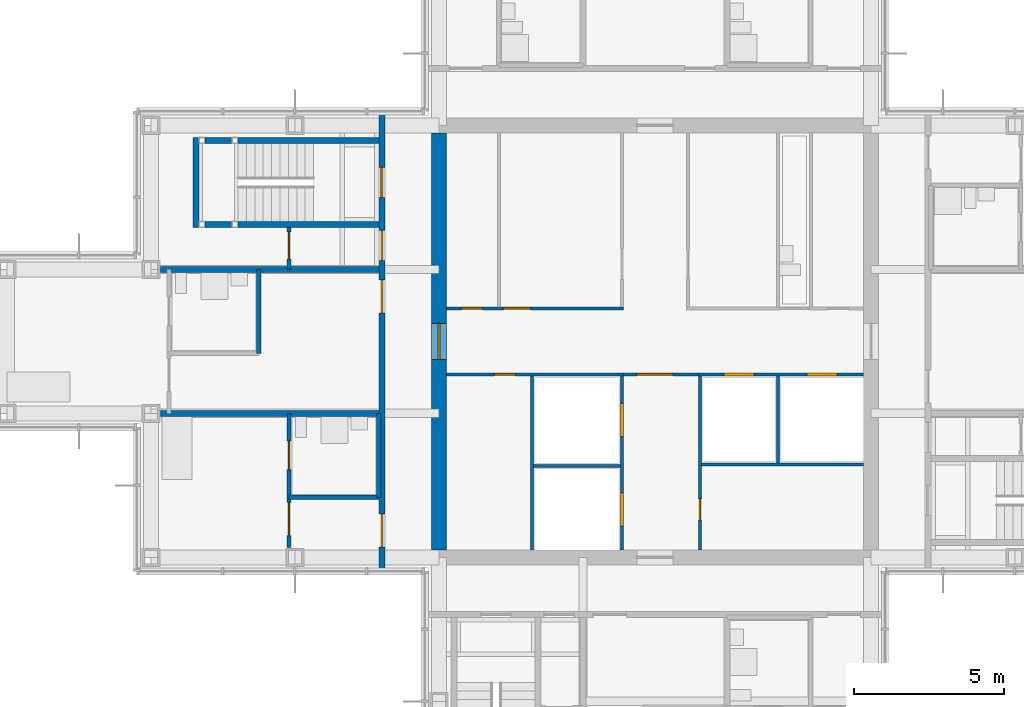
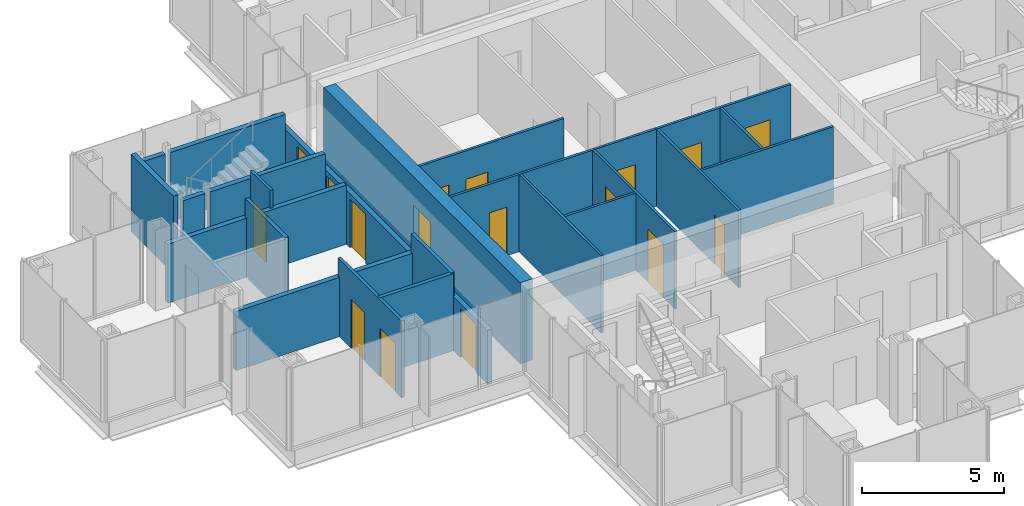
# One storey, part 12 of 17: 24 walls, 17 doors, 17 openings.
"""IFC4 building model written with IfcOpenShell, lengths in metres."""

import ifcopenshell
import ifcopenshell.guid

model = None  # the IFC model being written
_history = None  # IfcOwnerHistory: only IFC2X3 demands one
_inside = {}  # id of a spatial element -> (the spatial element, [elements in it])
_under = {}  # id of a project, library or spatial element -> (it, [spatial elements below it])
_declared = {}  # id of a project -> (the project, [libraries it declares])
_typed = {}  # id of a type object -> (the type object, [elements of that type])
_made_of = {}  # id of a material, layer set ... -> (it, [elements and type objects made of it])


def new_model(schema):
    """Start an empty IFC model of exactly this schema.

    Asked for "IFC4X3", IfcOpenShell would pick the latest addendum, in which some entities
    have other attributes; the version numbers below select the first issue.
    IFC2X3 requires an IfcOwnerHistory on every rooted entity: one is made here for all.
    """
    global model, _history
    if schema == "IFC4X3":
        model = ifcopenshell.file(schema_version=(4, 3, 0, 0))
    else:
        model = ifcopenshell.file(schema=schema)
    _inside.clear()
    _under.clear()
    _declared.clear()
    _typed.clear()
    _made_of.clear()
    _history = None
    if model.schema == "IFC2X3":
        org = make("IfcOrganization", Name="unknown")
        user = make(
            "IfcPersonAndOrganization",
            ThePerson=make("IfcPerson", FamilyName="unknown"),
            TheOrganization=org,
        )
        app = make(
            "IfcApplication",
            ApplicationDeveloper=org,
            Version="unknown",
            ApplicationFullName="unknown",
            ApplicationIdentifier="unknown",
        )
        _history = make(
            "IfcOwnerHistory",
            OwningUser=user,
            OwningApplication=app,
            ChangeAction="ADDED",
            CreationDate=0,
        )
    return model


def make(cls, **values):
    """One entity of the class cls with the attributes given. An attribute that is None is left unset."""
    return model.create_entity(
        cls, **{name: value for name, value in values.items() if value is not None}
    )


def rooted(cls, **values):
    """An entity with a GlobalId (a new one), such as an element, a storey or a relation."""
    return make(cls, GlobalId=ifcopenshell.guid.new(), OwnerHistory=_history, **values)


def si_unit(unit_type, name, prefix=None):
    """IfcSIUnit, for example si_unit("LENGTHUNIT", "METRE", prefix="MILLI")."""
    return make("IfcSIUnit", UnitType=unit_type, Prefix=prefix, Name=name)


def assignment(units):
    """IfcUnitAssignment: the units of a project."""
    return None if units is None else make("IfcUnitAssignment", Units=units)


def point(xyz):
    """IfcCartesianPoint."""
    return None if xyz is None else make("IfcCartesianPoint", Coordinates=xyz)


def direction(xyz):
    """IfcDirection."""
    return None if xyz is None else make("IfcDirection", DirectionRatios=xyz)


def frame(location, z_axis=None, x_axis=None):
    """IfcAxis2Placement3D, a coordinate frame: its origin and axes. An axis left out is left unset."""
    return make(
        "IfcAxis2Placement3D",
        Location=point(location),
        Axis=direction(z_axis),
        RefDirection=direction(x_axis),
    )


def frame_2d(location, x_axis=None):
    """IfcAxis2Placement2D, a coordinate frame in the plane: its origin and x axis."""
    return make(
        "IfcAxis2Placement2D", Location=point(location), RefDirection=direction(x_axis)
    )


def origin():
    """The frame at (0, 0, 0) with its axes left unset."""
    return frame((0.0, 0.0, 0.0))


def place(relative_to, where):
    """IfcLocalPlacement: puts the frame where relative to a parent placement (None: the world)."""
    return make(
        "IfcLocalPlacement", PlacementRelTo=relative_to, RelativePlacement=where
    )


def context(
    kind, dimensions, precision=None, world=None, true_north=None, identifier=None
):
    """IfcGeometricRepresentationContext, for example the 3D "Model" context."""
    return make(
        "IfcGeometricRepresentationContext",
        ContextIdentifier=identifier,
        ContextType=kind,
        CoordinateSpaceDimension=dimensions,
        Precision=precision,
        WorldCoordinateSystem=world,
        TrueNorth=true_north,
    )


def subcontext(parent, identifier, kind, view, scale=None):
    """IfcGeometricRepresentationSubContext, for example "Body" below "Model"."""
    return make(
        "IfcGeometricRepresentationSubContext",
        ContextIdentifier=identifier,
        ContextType=kind,
        ParentContext=parent,
        TargetScale=scale,
        TargetView=view,
    )


def project(units=None, contexts=None):
    """IfcProject with its units and contexts."""
    return rooted(
        "IfcProject",
        Name="project",
        RepresentationContexts=contexts,
        UnitsInContext=assignment(units),
    )


def spatial(cls, under=None, at=None, **own):
    """A site, building, storey or space (cls), placed at a placement, below another one or the project."""
    s = rooted(cls, ObjectPlacement=at, **own)
    if under is not None:
        _under.setdefault(under.id(), (under, []))[1].append(s)
    return s


def profile(cls, at=None, kind="AREA", **sizes):
    """A parametric profile (cls). Its sizes go by their IFC names, for example OverallWidth=200.0."""
    return make(cls, ProfileType=kind, Position=at, **sizes)


def rectangle(**sizes):
    """IfcRectangleProfileDef."""
    return profile("IfcRectangleProfileDef", **sizes)


def extrude(swept, where, along, depth):
    """IfcExtrudedAreaSolid: the profile swept, set in the frame where, extruded along a direction by depth."""
    return make(
        "IfcExtrudedAreaSolid",
        SweptArea=swept,
        Position=where,
        ExtrudedDirection=direction(along),
        Depth=depth,
    )


def shape(context_of_items, identifier, shape_type, items):
    """IfcShapeRepresentation: the items that make up one representation, for example the "Body"."""
    return make(
        "IfcShapeRepresentation",
        ContextOfItems=context_of_items,
        RepresentationIdentifier=identifier,
        RepresentationType=shape_type,
        Items=items,
    )


def material(Name=None, Category=None):
    """IfcMaterial."""
    return make("IfcMaterial", Name=Name, Category=Category)


def layer(
    of_material, thickness, ventilated=None, Name=None, Category=None, Priority=None
):
    """IfcMaterialLayer: one layer of a wall or slab, of a material (None: an air gap)."""
    return make(
        "IfcMaterialLayer",
        Material=of_material,
        LayerThickness=thickness,
        IsVentilated=ventilated,
        Name=Name,
        Category=Category,
        Priority=Priority,
    )


def layer_set(layers, Name=None):
    """IfcMaterialLayerSet."""
    return make("IfcMaterialLayerSet", MaterialLayers=layers, LayerSetName=Name)


def made_of(thing, what):
    """Note that an element or type object is made of a material, layer set ...; save() writes the relation."""
    if what is not None:
        _made_of.setdefault(what.id(), (what, []))[1].append(thing)
    return thing


def type_object(cls, material=None, **own):
    """A type object (cls), such as IfcWallType, which elements share."""
    return made_of(rooted(cls, **own), material)


def element(
    cls,
    number,
    at=None,
    inside=None,
    cuts=None,
    type_object=None,
    material=None,
    context=None,
    identifier="Body",
    shape_type=None,
    held_by="IfcProductDefinitionShape",
    body=None,
    shapes=None,
    **own,
):
    """One element of the class cls, such as IfcWall. Its Tag is "e" and its number.

    at: its placement. inside: the storey or other place that contains it. cuts: it is an
    opening in that element (IfcRelVoidsElement). A single representation is given by context,
    identifier, shape_type and body (its items); several are given by shapes. held_by: the class
    of the entity that holds the representations. save() writes the other relations.
    """
    e = rooted(cls, Tag="e%d" % number, ObjectPlacement=at, **own)
    if body is not None:
        shapes = [shape(context, identifier, shape_type, body)]
    if shapes is not None:
        e.Representation = make(held_by, Representations=shapes)
    if inside is not None:
        _inside.setdefault(inside.id(), (inside, []))[1].append(e)
    if cuts is not None:
        rooted(
            "IfcRelVoidsElement", RelatingBuildingElement=cuts, RelatedOpeningElement=e
        )
    if type_object is not None:
        _typed.setdefault(type_object.id(), (type_object, []))[1].append(e)
    return made_of(e, material)


def fill(opening, filler):
    """IfcRelFillsElement: the door or window that sits in an opening."""
    return rooted(
        "IfcRelFillsElement",
        RelatingOpeningElement=opening,
        RelatedBuildingElement=filler,
    )


def aggregate(whole, parts):
    """IfcRelAggregates: a whole, such as a stair, and the parts it consists of."""
    return rooted("IfcRelAggregates", RelatingObject=whole, RelatedObjects=parts)


def save(model, path):
    """Write the relations noted so far, then the file.

    IfcRelAggregates (storeys below a building ...), IfcRelContainedInSpatialStructure (elements
    in a storey), IfcRelDefinesByType, IfcRelAssociatesMaterial and IfcRelDeclares: one each for
    every whole, place, type object, material and project.
    """
    for whole, parts in _under.values():
        aggregate(whole, parts)
    for where, things in _inside.values():
        rooted(
            "IfcRelContainedInSpatialStructure",
            RelatedElements=things,
            RelatingStructure=where,
        )
    for kind, things in _typed.values():
        rooted("IfcRelDefinesByType", RelatedObjects=things, RelatingType=kind)
    for what, things in _made_of.values():
        rooted("IfcRelAssociatesMaterial", RelatedObjects=things, RelatingMaterial=what)
    for by, libraries in _declared.values():
        rooted("IfcRelDeclares", RelatingContext=by, RelatedDefinitions=libraries)
    model.write(path)


model = new_model("IFC4")

# Units and contexts
model_context = context("Model", 3, precision=1e-05, world=origin(), true_north=direction((0.0, 1.0)))
body_context = subcontext(model_context, "Body", "Model", "MODEL_VIEW")
ifc_project = project(units=[si_unit("LENGTHUNIT", "METRE"), si_unit("AREAUNIT", "SQUARE_METRE"), si_unit("VOLUMEUNIT", "CUBIC_METRE"), si_unit("PLANEANGLEUNIT", "RADIAN"), si_unit("MASSUNIT", "GRAM", prefix="KILO")], contexts=[model_context])

# Site, building, storey
site_placement = place(None, origin())
site = spatial("IfcSite", under=ifc_project, at=site_placement, CompositionType="ELEMENT")
building_placement = place(site_placement, origin())
building = spatial("IfcBuilding", under=site, at=building_placement, Name="Kvirike Care Tower", CompositionType="ELEMENT")
storey_placement = place(building_placement, frame((0.0, 0.0, 183.0)))
storey = spatial("IfcBuildingStorey", under=building, at=storey_placement, Name="L50", CompositionType="ELEMENT", Elevation=183.0)

# Walls
ifc_material_1 = material(Name="Moisture-resistant board partition", Category="gypsum")
ifc_layer_1 = layer(ifc_material_1, 0.14990234375)
ifc_layer_set_1 = layer_set([ifc_layer_1], Name="BATHROOM WALL 150")
wall_type_1 = type_object("IfcWallType", Name="BATHROOM WALL 150", PredefinedType="PARTITIONING", material=ifc_layer_set_1)
wall_1_placement = place(storey_placement, frame((8.39990234375, 38.39990234375, 0.0), z_axis=(0.0, 0.0, 1.0), x_axis=(0.0, -1.0, 0.0)))
element("IfcWall", 1, at=wall_1_placement, inside=storey, type_object=wall_type_1, Name="Bathroom Wall 150 L50", PredefinedType="PARTITIONING", context=body_context, shape_type="SweptSolid", body=[
    extrude(rectangle(XDim=2.7998046875, YDim=0.14990234375, at=frame_2d((1.39990234375, 0.0))), origin(), (0.0, 0.0, 1.0), 3.330078125),
])
wall_2_placement = place(storey_placement, frame((9.39990234375, 30.800048828125, 0.0), z_axis=(0.0, 0.0, 1.0), x_axis=(1.0, 0.0, 0.0)))
element("IfcWall", 2, at=wall_2_placement, inside=storey, type_object=wall_type_1, Name="Bathroom Wall 150 L50", PredefinedType="PARTITIONING", context=body_context, shape_type="SweptSolid", body=[
    extrude(rectangle(XDim=3.0, YDim=0.14990234375, at=frame_2d((1.5, 0.0))), origin(), (0.0, 0.0, 1.0), 3.330078125),
])
wall_3_placement = place(storey_placement, frame((12.39990234375, 33.60009765625, 0.0), z_axis=(0.0, 0.0, 1.0), x_axis=(0.0, -1.0, 0.0)))
element("IfcWall", 3, at=wall_3_placement, inside=storey, type_object=wall_type_1, Name="Bathroom Wall 150 L50", PredefinedType="PARTITIONING", context=body_context, shape_type="SweptSolid", body=[
    extrude(rectangle(XDim=2.800048828125, YDim=0.14990234375, at=frame_2d((1.39990234375, 0.0))), origin(), (0.0, 0.0, 1.0), 3.330078125),
])

# Wall, opening, door
ifc_material_2 = material(Name="Concrete C45/55", Category="concrete")
ifc_layer_2 = layer(ifc_material_2, 0.5)
ifc_layer_set_2 = layer_set([ifc_layer_2], Name="CORE WALL 500 C45-55")
wall_type_2 = type_object("IfcWallType", Name="CORE WALL 500 C45-55", PredefinedType="SHEAR", material=ifc_layer_set_2)
wall_4_placement = place(storey_placement, frame((14.39990234375, 42.949951171875, -0.169921875), z_axis=(0.0, 0.0, 1.0), x_axis=(0.0, -1.0, 0.0)))
wall_4 = element("IfcWall", 4, at=wall_4_placement, inside=storey, type_object=wall_type_2, Name="Core wall W L50", PredefinedType="SHEAR", context=body_context, shape_type="SweptSolid", body=[
    extrude(rectangle(XDim=13.89990234375, YDim=0.5, at=frame_2d((6.949951171875, 0.0))), origin(), (0.0, 0.0, 1.0), 3.5),
])
opening_1_placement = place(wall_4_placement, frame((6.35009765625, 0.0, 0.169921875)))
opening_1 = element("IfcOpeningElement", 5, at=opening_1_placement, cuts=wall_4, Name="Opening 50-051", PredefinedType="OPENING", context=body_context, shape_type="SweptSolid", body=[
    extrude(rectangle(XDim=1.199951171875, YDim=2.10009765625, at=frame_2d((0.60009765625, 1.050048828125))), frame((0.0, 0.260498046875, 0.0), z_axis=(0.0, -1.0, 0.0), x_axis=(1.0, 0.0, 0.0)), (0.0, 0.0, 1.0), 0.52099609375),
])
ifc_material_3 = material(Name="Timber door set", Category="wood")
door_type_1 = type_object("IfcDoorType", Name="CORE DOOR 1200", OperationType="SINGLE_SWING_LEFT", PredefinedType="DOOR", material=ifc_material_3)
door_1_placement = place(opening_1_placement, origin())
door_1 = element("IfcDoor", 6, at=door_1_placement, inside=storey, type_object=door_type_1, Name="Core door W L50", OperationType="SINGLE_SWING_LEFT", OverallHeight=2.10009765625, OverallWidth=1.199951171875, PredefinedType="DOOR", context=body_context, shape_type="SweptSolid", body=[
    extrude(rectangle(XDim=1.199951171875, YDim=2.10009765625, at=frame_2d((0.60009765625, 1.050048828125))), frame((0.0, 0.02685546875, 0.0), z_axis=(0.0, -1.0, 0.0), x_axis=(1.0, 0.0, 0.0)), (0.0, 0.0, 1.0), 0.053955078125),
])
fill(opening_1, door_1)

# Wall, openings, doors
ifc_material_4 = material(Name="Plasterboard corridor wall", Category="gypsum")
ifc_layer_3 = layer(ifc_material_4, 0.199951171875)
ifc_layer_set_3 = layer_set([ifc_layer_3], Name="CORRIDOR WALL 200")
wall_type_3 = type_object("IfcWallType", Name="CORRIDOR WALL 200", PredefinedType="PARTITIONING", material=ifc_layer_set_3)
wall_5_placement = place(storey_placement, frame((12.5, 43.64990234375, 0.0), z_axis=(0.0, 0.0, 1.0), x_axis=(0.0, -1.0, 0.0)))
wall_5 = element("IfcWall", 7, at=wall_5_placement, inside=storey, type_object=wall_type_3, Name="Corridor Wall 200 L50", PredefinedType="PARTITIONING", context=body_context, shape_type="SweptSolid", body=[
    extrude(rectangle(XDim=15.2998046875, YDim=0.199951171875, at=frame_2d((7.64990234375, 0.0))), origin(), (0.0, 0.0, 1.0), 2.320068359375),
])
opening_2_placement = place(wall_5_placement, frame((1.85009765625, 0.0, 0.0)))
opening_2 = element("IfcOpeningElement", 8, at=opening_2_placement, cuts=wall_5, Name="Opening 50-006", PredefinedType="OPENING", context=body_context, shape_type="SweptSolid", body=[
    extrude(rectangle(XDim=1.0, YDim=2.10009765625, at=frame_2d((0.5, 1.050048828125))), frame((0.0, 0.110595703125, 0.0), z_axis=(0.0, -1.0, 0.0), x_axis=(1.0, 0.0, 0.0)), (0.0, 0.0, 1.0), 0.220947265625),
])
opening_3_placement = place(wall_5_placement, frame((3.949951171875, 0.0, 0.0)))
opening_3 = element("IfcOpeningElement", 9, at=opening_3_placement, cuts=wall_5, Name="Opening 50-007", PredefinedType="OPENING", context=body_context, shape_type="SweptSolid", body=[
    extrude(rectangle(XDim=1.0, YDim=2.10009765625, at=frame_2d((0.5, 1.050048828125))), frame((0.0, 0.110595703125, 0.0), z_axis=(0.0, -1.0, 0.0), x_axis=(1.0, 0.0, 0.0)), (0.0, 0.0, 1.0), 0.220947265625),
])
opening_4_placement = place(wall_5_placement, frame((5.60009765625, 0.0, 0.0)))
opening_4 = element("IfcOpeningElement", 10, at=opening_4_placement, cuts=wall_5, Name="Opening 50-008", PredefinedType="OPENING", context=body_context, shape_type="SweptSolid", body=[
    extrude(rectangle(XDim=1.10009765625, YDim=2.10009765625, at=frame_2d((0.550048828125, 1.050048828125))), frame((0.0, 0.110595703125, 0.0), z_axis=(0.0, -1.0, 0.0), x_axis=(1.0, 0.0, 0.0)), (0.0, 0.0, 1.0), 0.220947265625),
])
opening_5_placement = place(wall_5_placement, frame((13.39990234375, 0.0, 0.0)))
opening_5 = element("IfcOpeningElement", 11, at=opening_5_placement, cuts=wall_5, Name="Opening 50-009", PredefinedType="OPENING", context=body_context, shape_type="SweptSolid", body=[
    extrude(rectangle(XDim=1.10009765625, YDim=2.10009765625, at=frame_2d((0.550048828125, 1.050048828125))), frame((0.0, 0.110595703125, 0.0), z_axis=(0.0, -1.0, 0.0), x_axis=(1.0, 0.0, 0.0)), (0.0, 0.0, 1.0), 0.220947265625),
])
ifc_material_5 = material(Name="Timber door set", Category="wood")
door_type_2 = type_object("IfcDoorType", Name="BEDROOM ENTRANCE DOOR 1100", OperationType="SINGLE_SWING_LEFT", PredefinedType="DOOR", material=ifc_material_5)
door_2_placement = place(opening_4_placement, frame((1.10009765625, 0.0, 0.0), z_axis=(0.0, 0.0, 1.0), x_axis=(-1.0, 0.0, 0.0)))
door_2 = element("IfcDoor", 12, at=door_2_placement, inside=storey, type_object=door_type_2, Name="Memory care bedroom entrance", OperationType="SINGLE_SWING_LEFT", OverallHeight=2.10009765625, OverallWidth=1.10009765625, PredefinedType="DOOR", context=body_context, shape_type="SweptSolid", body=[
    extrude(rectangle(XDim=1.10009765625, YDim=2.10009765625, at=frame_2d((0.550048828125, 1.050048828125))), frame((0.0, 0.02685546875, 0.0), z_axis=(0.0, -1.0, 0.0), x_axis=(1.0, 0.0, 0.0)), (0.0, 0.0, 1.0), 0.053955078125),
])
fill(opening_4, door_2)
door_3_placement = place(opening_5_placement, frame((1.10009765625, 0.0, 0.0), z_axis=(0.0, 0.0, 1.0), x_axis=(-1.0, 0.0, 0.0)))
door_3 = element("IfcDoor", 13, at=door_3_placement, inside=storey, type_object=door_type_2, Name="Memory care bedroom entrance", OperationType="SINGLE_SWING_RIGHT", OverallHeight=2.10009765625, OverallWidth=1.10009765625, PredefinedType="DOOR", context=body_context, shape_type="SweptSolid", body=[
    extrude(rectangle(XDim=1.10009765625, YDim=2.10009765625, at=frame_2d((0.550048828125, 1.050048828125))), frame((0.0, 0.02685546875, 0.0), z_axis=(0.0, -1.0, 0.0), x_axis=(1.0, 0.0, 0.0)), (0.0, 0.0, 1.0), 0.053955078125),
])
fill(opening_5, door_3)
ifc_material_6 = material(Name="Timber door set", Category="wood")
door_type_3 = type_object("IfcDoorType", Name="FLAT ENTRANCE DOOR 1000", OperationType="SINGLE_SWING_LEFT", PredefinedType="DOOR", material=ifc_material_6)
door_4_placement = place(opening_3_placement, frame((1.0, 0.0, 0.0), z_axis=(0.0, 0.0, 1.0), x_axis=(-1.0, 0.0, 0.0)))
door_4 = element("IfcDoor", 14, at=door_4_placement, inside=storey, type_object=door_type_3, Name="Activity room entrance", OperationType="SINGLE_SWING_LEFT", OverallHeight=2.10009765625, OverallWidth=1.0, PredefinedType="DOOR", context=body_context, shape_type="SweptSolid", body=[
    extrude(rectangle(XDim=1.0, YDim=2.10009765625, at=frame_2d((0.5, 1.050048828125))), frame((0.0, 0.02685546875, 0.0), z_axis=(0.0, -1.0, 0.0), x_axis=(1.0, 0.0, 0.0)), (0.0, 0.0, 1.0), 0.053955078125),
])
fill(opening_3, door_4)
ifc_material_7 = material(Name="Timber door set", Category="wood")
door_type_4 = type_object("IfcDoorType", Name="STAIR DOOR 1000", OperationType="SINGLE_SWING_LEFT", PredefinedType="DOOR", material=ifc_material_7)
door_5_placement = place(opening_2_placement, frame((1.0, 0.0, 0.0), z_axis=(0.0, 0.0, 1.0), x_axis=(-1.0, 0.0, 0.0)))
door_5 = element("IfcDoor", 15, at=door_5_placement, inside=storey, type_object=door_type_4, Name="Stair 1 door", OperationType="SINGLE_SWING_LEFT", OverallHeight=2.10009765625, OverallWidth=1.0, PredefinedType="DOOR", context=body_context, shape_type="SweptSolid", body=[
    extrude(rectangle(XDim=1.0, YDim=2.10009765625, at=frame_2d((0.5, 1.050048828125))), frame((0.0, 0.031982421875, 0.0), z_axis=(0.0, -1.0, 0.0), x_axis=(1.0, 0.0, 0.0)), (0.0, 0.0, 1.0), 0.06396484375),
])
fill(opening_2, door_5)

# Wall, opening, door
ifc_material_8 = material(Name="Plasterboard partition", Category="gypsum")
ifc_layer_4 = layer(ifc_material_8, 0.1201171875)
ifc_layer_set_4 = layer_set([ifc_layer_4], Name="PARTITION 120")
wall_type_4 = type_object("IfcWallType", Name="PARTITION 120", PredefinedType="PARTITIONING", material=ifc_layer_set_4)
wall_6_placement = place(storey_placement, frame((9.39990234375, 39.800048828125, 0.0), z_axis=(0.0, 0.0, 1.0), x_axis=(0.0, -1.0, 0.0)))
wall_6 = element("IfcWall", 16, at=wall_6_placement, inside=storey, type_object=wall_type_4, Name="Partition 120 L50", PredefinedType="PARTITIONING", context=body_context, shape_type="SweptSolid", body=[
    extrude(rectangle(XDim=1.400146484375, YDim=0.1201171875, at=frame_2d((0.7001953125, 0.0))), origin(), (0.0, 0.0, 1.0), 3.330078125),
])
opening_6_placement = place(wall_6_placement, frame((0.14990234375, 0.0, 0.0)))
opening_6 = element("IfcOpeningElement", 17, at=opening_6_placement, cuts=wall_6, Name="Opening 50-001", PredefinedType="OPENING", context=body_context, shape_type="SweptSolid", body=[
    extrude(rectangle(XDim=0.89990234375, YDim=2.10009765625, at=frame_2d((0.449951171875, 1.050048828125))), frame((0.0, 0.070556640625, 0.0), z_axis=(0.0, -1.0, 0.0), x_axis=(1.0, 0.0, 0.0)), (0.0, 0.0, 1.0), 0.14111328125),
])
ifc_material_9 = material(Name="Timber door set", Category="wood")
door_type_5 = type_object("IfcDoorType", Name="INTERNAL DOOR 900", OperationType="SINGLE_SWING_LEFT", PredefinedType="DOOR", material=ifc_material_9)
door_6_placement = place(opening_6_placement, origin())
door_6 = element("IfcDoor", 18, at=door_6_placement, inside=storey, type_object=door_type_5, Name="Activity room door", OperationType="SINGLE_SWING_RIGHT", OverallHeight=2.10009765625, OverallWidth=0.89990234375, PredefinedType="DOOR", context=body_context, shape_type="SweptSolid", body=[
    extrude(rectangle(XDim=0.89990234375, YDim=2.10009765625, at=frame_2d((0.449951171875, 1.050048828125))), frame((0.0, 0.02197265625, 0.0), z_axis=(0.0, -1.0, 0.0), x_axis=(1.0, 0.0, 0.0)), (0.0, 0.0, 1.0), 0.0439453125),
])
fill(opening_6, door_6)

# Wall, openings, doors
wall_7_placement = place(storey_placement, frame((9.39990234375, 33.60009765625, 0.0), z_axis=(0.0, 0.0, 1.0), x_axis=(0.0, -1.0, 0.0)))
wall_7 = element("IfcWall", 19, at=wall_7_placement, inside=storey, type_object=wall_type_4, Name="Partition 120 L50", PredefinedType="PARTITIONING", context=body_context, shape_type="SweptSolid", body=[
    extrude(rectangle(XDim=4.47998046875, YDim=0.1201171875, at=frame_2d((2.239990234375, 0.0))), origin(), (0.0, 0.0, 1.0), 3.330078125),
])
opening_7_placement = place(wall_7_placement, frame((2.97509765625, 0.0, 0.0)))
opening_7 = element("IfcOpeningElement", 20, at=opening_7_placement, cuts=wall_7, Name="Opening 50-004", PredefinedType="OPENING", context=body_context, shape_type="SweptSolid", body=[
    extrude(rectangle(XDim=1.10009765625, YDim=2.10009765625, at=frame_2d((0.550048828125, 1.050048828125))), frame((0.0, 0.070556640625, 0.0), z_axis=(0.0, -1.0, 0.0), x_axis=(1.0, 0.0, 0.0)), (0.0, 0.0, 1.0), 0.14111328125),
])
opening_8_placement = place(wall_7_placement, frame((0.925048828125, 0.0, 0.0)))
opening_8 = element("IfcOpeningElement", 21, at=opening_8_placement, cuts=wall_7, Name="Opening 50-005", PredefinedType="OPENING", context=body_context, shape_type="SweptSolid", body=[
    extrude(rectangle(XDim=0.949951171875, YDim=2.10009765625, at=frame_2d((0.47509765625, 1.050048828125))), frame((0.0, 0.070556640625, 0.0), z_axis=(0.0, -1.0, 0.0), x_axis=(1.0, 0.0, 0.0)), (0.0, 0.0, 1.0), 0.14111328125),
])
ifc_material_10 = material(Name="Timber door set", Category="wood")
door_type_6 = type_object("IfcDoorType", Name="BEDROOM DOOR 1100", OperationType="SINGLE_SWING_LEFT", PredefinedType="DOOR", material=ifc_material_10)
door_7_placement = place(opening_7_placement, origin())
door_7 = element("IfcDoor", 22, at=door_7_placement, inside=storey, type_object=door_type_6, Name="Memory care bedroom door", OperationType="SINGLE_SWING_RIGHT", OverallHeight=2.10009765625, OverallWidth=1.10009765625, PredefinedType="DOOR", context=body_context, shape_type="SweptSolid", body=[
    extrude(rectangle(XDim=1.10009765625, YDim=2.10009765625, at=frame_2d((0.550048828125, 1.050048828125))), frame((0.0, 0.02197265625, 0.0), z_axis=(0.0, -1.0, 0.0), x_axis=(1.0, 0.0, 0.0)), (0.0, 0.0, 1.0), 0.0439453125),
])
fill(opening_7, door_7)
ifc_material_11 = material(Name="Timber door set", Category="wood")
door_type_7 = type_object("IfcDoorType", Name="EN-SUITE SLIDING DOOR 950", OperationType="SLIDING_TO_LEFT", PredefinedType="DOOR", material=ifc_material_11)
door_8_placement = place(opening_8_placement, origin())
door_8 = element("IfcDoor", 23, at=door_8_placement, inside=storey, type_object=door_type_7, Name="En-suite door", OperationType="SLIDING_TO_LEFT", OverallHeight=2.10009765625, OverallWidth=0.949951171875, PredefinedType="DOOR", context=body_context, shape_type="SweptSolid", body=[
    extrude(rectangle(XDim=0.949951171875, YDim=2.10009765625, at=frame_2d((0.47509765625, 1.050048828125))), frame((0.0, 0.02197265625, 0.0), z_axis=(0.0, -1.0, 0.0), x_axis=(1.0, 0.0, 0.0)), (0.0, 0.0, 1.0), 0.0439453125),
])
fill(opening_8, door_8)

# Walls
ifc_material_12 = material(Name="Plasterboard party wall", Category="gypsum")
ifc_layer_5 = layer(ifc_material_12, 0.199951171875)
ifc_layer_set_5 = layer_set([ifc_layer_5], Name="PARTY WALL 200")
wall_type_5 = type_object("IfcWallType", Name="PARTY WALL 200", PredefinedType="PARTITIONING", material=ifc_layer_set_5)
for number, where, z_axis, x_axis, name in (
    (24, (5.1201171875, 38.39990234375, 0.0), (0.0, 0.0, 1.0), (1.0, 0.0, 0.0), "Party Wall 200 L50"),
    (25, (5.1201171875, 33.60009765625, 0.0), (0.0, 0.0, 1.0), (1.0, 0.0, 0.0), "Party Wall 200 L50"),
):
    element("IfcWall", number, at=place(storey_placement, frame(where, z_axis=z_axis, x_axis=x_axis)), inside=storey, type_object=wall_type_5, Name=name, PredefinedType="PARTITIONING", context=body_context, shape_type="SweptSolid", body=[
        extrude(rectangle(XDim=7.27978515625, YDim=0.199951171875, at=frame_2d((3.639892578125, 0.0))), origin(), (0.0, 0.0, 1.0), 2.550048828125),
    ])

# Wall, openings, doors
ifc_material_13 = material(Name="Gypsum shaft wall system", Category="gypsum")
ifc_layer_6 = layer(ifc_material_13, 0.10009765625)
ifc_layer_set_6 = layer_set([ifc_layer_6], Name="SHAFT WALL 100")
wall_type_6 = type_object("IfcWallType", Name="SHAFT WALL 100", PredefinedType="SOLIDWALL", material=ifc_layer_set_6)
wall_8_placement = place(storey_placement, frame((20.5, 29.050048828125, 0.0), z_axis=(0.0, 0.0, 1.0), x_axis=(0.0, 1.0, 0.0)))
wall_8 = element("IfcWall", 26, at=wall_8_placement, inside=storey, type_object=wall_type_6, Name="Shaft Wall 100 L50", PredefinedType="SOLIDWALL", context=body_context, shape_type="SweptSolid", body=[
    extrude(rectangle(XDim=5.800048828125, YDim=0.10009765625, at=frame_2d((2.89990234375, 0.0))), origin(), (0.0, 0.0, 1.0), 3.330078125),
])
opening_9_placement = place(wall_8_placement, frame((0.800048828125, 0.0, 0.0)))
opening_9 = element("IfcOpeningElement", 27, at=opening_9_placement, cuts=wall_8, Name="Opening 50-037", PredefinedType="OPENING", context=body_context, shape_type="SweptSolid", body=[
    extrude(rectangle(XDim=1.10009765625, YDim=2.300048828125, at=frame_2d((0.550048828125, 1.14990234375))), frame((0.0, 0.060546875, 0.0), z_axis=(0.0, -1.0, 0.0), x_axis=(1.0, 0.0, 0.0)), (0.0, 0.0, 1.0), 0.12109375),
])
opening_10_placement = place(wall_8_placement, frame((3.77490234375, 0.0, 0.0)))
opening_10 = element("IfcOpeningElement", 28, at=opening_10_placement, cuts=wall_8, Name="Opening 50-038", PredefinedType="OPENING", context=body_context, shape_type="SweptSolid", body=[
    extrude(rectangle(XDim=1.10009765625, YDim=2.300048828125, at=frame_2d((0.550048828125, 1.14990234375))), frame((0.0, 0.060546875, 0.0), z_axis=(0.0, -1.0, 0.0), x_axis=(1.0, 0.0, 0.0)), (0.0, 0.0, 1.0), 0.12109375),
])
ifc_material_14 = material(Name="Aluminium door frame", Category="aluminium")
door_type_8 = type_object("IfcDoorType", Name="FIRE-FIGHTING LIFT LANDING DOOR 1100", OperationType="SLIDING_TO_LEFT", PredefinedType="DOOR", material=ifc_material_14)
door_9_placement = place(opening_9_placement, origin())
door_9 = element("IfcDoor", 29, at=door_9_placement, inside=storey, type_object=door_type_8, Name="Lift FF1 landing door", OperationType="SLIDING_TO_LEFT", OverallHeight=2.300048828125, OverallWidth=1.10009765625, PredefinedType="DOOR", context=body_context, shape_type="SweptSolid", body=[
    extrude(rectangle(XDim=1.10009765625, YDim=2.300048828125, at=frame_2d((0.550048828125, 1.14990234375))), frame((0.0, 0.0498046875, 0.0), z_axis=(0.0, -1.0, 0.0), x_axis=(1.0, 0.0, 0.0)), (0.0, 0.0, 1.0), 0.099609375),
])
fill(opening_9, door_9)
door_10_placement = place(opening_10_placement, origin())
door_10 = element("IfcDoor", 30, at=door_10_placement, inside=storey, type_object=door_type_8, Name="Lift FF2 landing door", OperationType="SLIDING_TO_LEFT", OverallHeight=2.300048828125, OverallWidth=1.10009765625, PredefinedType="DOOR", context=body_context, shape_type="SweptSolid", body=[
    extrude(rectangle(XDim=1.10009765625, YDim=2.300048828125, at=frame_2d((0.550048828125, 1.14990234375))), frame((0.0, 0.0498046875, 0.0), z_axis=(0.0, -1.0, 0.0), x_axis=(1.0, 0.0, 0.0)), (0.0, 0.0, 1.0), 0.099609375),
])
fill(opening_10, door_10)

# Wall, opening, door
wall_9_placement = place(storey_placement, frame((23.10009765625, 29.050048828125, 0.0), z_axis=(0.0, 0.0, 1.0), x_axis=(0.0, 1.0, 0.0)))
wall_9 = element("IfcWall", 31, at=wall_9_placement, inside=storey, type_object=wall_type_6, Name="Shaft Wall 100 L50", PredefinedType="SOLIDWALL", context=body_context, shape_type="SweptSolid", body=[
    extrude(rectangle(XDim=5.800048828125, YDim=0.10009765625, at=frame_2d((2.89990234375, 0.0))), origin(), (0.0, 0.0, 1.0), 3.330078125),
])
opening_11_placement = place(wall_9_placement, frame((1.0, 0.0, 0.0)))
opening_11 = element("IfcOpeningElement", 32, at=opening_11_placement, cuts=wall_9, Name="Opening 50-041", PredefinedType="OPENING", context=body_context, shape_type="SweptSolid", body=[
    extrude(rectangle(XDim=0.699951171875, YDim=2.10009765625, at=frame_2d((0.35009765625, 1.050048828125))), frame((0.0, 0.060546875, 0.0), z_axis=(0.0, -1.0, 0.0), x_axis=(1.0, 0.0, 0.0)), (0.0, 0.0, 1.0), 0.12109375),
])
ifc_material_15 = material(Name="Timber door set", Category="wood")
door_type_9 = type_object("IfcDoorType", Name="RISER DOOR 700", OperationType="SINGLE_SWING_LEFT", PredefinedType="DOOR", material=ifc_material_15)
door_11_placement = place(opening_11_placement, origin())
door_11 = element("IfcDoor", 33, at=door_11_placement, inside=storey, type_object=door_type_9, Name="Riser door", OperationType="SINGLE_SWING_RIGHT", OverallHeight=2.10009765625, OverallWidth=0.699951171875, PredefinedType="DOOR", context=body_context, shape_type="SweptSolid", body=[
    extrude(rectangle(XDim=0.699951171875, YDim=2.10009765625, at=frame_2d((0.35009765625, 1.050048828125))), frame((0.0, 0.02685546875, 0.0), z_axis=(0.0, -1.0, 0.0), x_axis=(1.0, 0.0, 0.0)), (0.0, 0.0, 1.0), 0.053955078125),
])
fill(opening_11, door_11)

wall_10_placement = place(storey_placement, frame((14.64990234375, 34.89990234375, 0.0), z_axis=(0.0, 0.0, 1.0), x_axis=(1.0, 0.0, 0.0)))
wall_10 = element("IfcWall", 34, at=wall_10_placement, inside=storey, type_object=wall_type_6, Name="Shaft Wall 100 L50", PredefinedType="SOLIDWALL", context=body_context, shape_type="SweptSolid", body=[
    extrude(rectangle(XDim=5.900146484375, YDim=0.10009765625, at=frame_2d((2.9501953125, 0.0))), origin(), (0.0, 0.0, 1.0), 3.330078125),
])
opening_12_placement = place(wall_10_placement, frame((1.60009765625, 0.0, 0.0)))
opening_12 = element("IfcOpeningElement", 35, at=opening_12_placement, cuts=wall_10, Name="Opening 50-042", PredefinedType="OPENING", context=body_context, shape_type="SweptSolid", body=[
    extrude(rectangle(XDim=0.699951171875, YDim=2.10009765625, at=frame_2d((0.35009765625, 1.050048828125))), frame((0.0, 0.060546875, 0.0), z_axis=(0.0, -1.0, 0.0), x_axis=(1.0, 0.0, 0.0)), (0.0, 0.0, 1.0), 0.12109375),
])
door_12_placement = place(opening_12_placement, frame((0.699951171875, 0.0, 0.0), z_axis=(0.0, 0.0, 1.0), x_axis=(-1.0, 0.0, 0.0)))
door_12 = element("IfcDoor", 36, at=door_12_placement, inside=storey, type_object=door_type_9, Name="Riser door", OperationType="SINGLE_SWING_RIGHT", OverallHeight=2.10009765625, OverallWidth=0.699951171875, PredefinedType="DOOR", context=body_context, shape_type="SweptSolid", body=[
    extrude(rectangle(XDim=0.699951171875, YDim=2.10009765625, at=frame_2d((0.35009765625, 1.050048828125))), frame((0.0, 0.02685546875, 0.0), z_axis=(0.0, -1.0, 0.0), x_axis=(1.0, 0.0, 0.0)), (0.0, 0.0, 1.0), 0.053955078125),
])
fill(opening_12, door_12)

# Wall, openings, doors
wall_11_placement = place(storey_placement, frame((23.050048828125, 34.89990234375, 0.0), z_axis=(0.0, 0.0, 1.0), x_axis=(1.0, 0.0, 0.0)))
wall_11 = element("IfcWall", 37, at=wall_11_placement, inside=storey, type_object=wall_type_6, Name="Shaft Wall 100 L50", PredefinedType="SOLIDWALL", context=body_context, shape_type="SweptSolid", body=[
    extrude(rectangle(XDim=5.5, YDim=0.10009765625, at=frame_2d((2.75, 0.0))), origin(), (0.0, 0.0, 1.0), 3.330078125),
])
opening_13_placement = place(wall_11_placement, frame((0.85009765625, 0.0, 0.0)))
opening_13 = element("IfcOpeningElement", 38, at=opening_13_placement, cuts=wall_11, Name="Opening 50-043", PredefinedType="OPENING", context=body_context, shape_type="SweptSolid", body=[
    extrude(rectangle(XDim=1.0, YDim=2.10009765625, at=frame_2d((0.5, 1.050048828125))), frame((0.0, 0.060546875, 0.0), z_axis=(0.0, -1.0, 0.0), x_axis=(1.0, 0.0, 0.0)), (0.0, 0.0, 1.0), 0.12109375),
])
opening_14_placement = place(wall_11_placement, frame((3.625, 0.0, 0.0)))
opening_14 = element("IfcOpeningElement", 39, at=opening_14_placement, cuts=wall_11, Name="Opening 50-044", PredefinedType="OPENING", context=body_context, shape_type="SweptSolid", body=[
    extrude(rectangle(XDim=1.0, YDim=2.10009765625, at=frame_2d((0.5, 1.050048828125))), frame((0.0, 0.060546875, 0.0), z_axis=(0.0, -1.0, 0.0), x_axis=(1.0, 0.0, 0.0)), (0.0, 0.0, 1.0), 0.12109375),
])
ifc_material_16 = material(Name="Aluminium door frame", Category="aluminium")
door_type_10 = type_object("IfcDoorType", Name="LIFT LANDING DOOR 1000", OperationType="SLIDING_TO_LEFT", PredefinedType="DOOR", material=ifc_material_16)
door_13_placement = place(opening_13_placement, origin())
door_13 = element("IfcDoor", 40, at=door_13_placement, inside=storey, type_object=door_type_10, Name="Lift P5 landing door", OperationType="SLIDING_TO_LEFT", OverallHeight=2.10009765625, OverallWidth=1.0, PredefinedType="DOOR", context=body_context, shape_type="SweptSolid", body=[
    extrude(rectangle(XDim=1.0, YDim=2.10009765625, at=frame_2d((0.5, 1.050048828125))), frame((0.0, 0.0498046875, 0.0), z_axis=(0.0, -1.0, 0.0), x_axis=(1.0, 0.0, 0.0)), (0.0, 0.0, 1.0), 0.099609375),
])
fill(opening_13, door_13)
door_14_placement = place(opening_14_placement, origin())
door_14 = element("IfcDoor", 41, at=door_14_placement, inside=storey, type_object=door_type_10, Name="Lift P6 landing door", OperationType="SLIDING_TO_LEFT", OverallHeight=2.10009765625, OverallWidth=1.0, PredefinedType="DOOR", context=body_context, shape_type="SweptSolid", body=[
    extrude(rectangle(XDim=1.0, YDim=2.10009765625, at=frame_2d((0.5, 1.050048828125))), frame((0.0, 0.0498046875, 0.0), z_axis=(0.0, -1.0, 0.0), x_axis=(1.0, 0.0, 0.0)), (0.0, 0.0, 1.0), 0.099609375),
])
fill(opening_14, door_14)

wall_12_placement = place(storey_placement, frame((14.64990234375, 37.10009765625, 0.0), z_axis=(0.0, 0.0, 1.0), x_axis=(1.0, 0.0, 0.0)))
wall_12 = element("IfcWall", 42, at=wall_12_placement, inside=storey, type_object=wall_type_6, Name="Shaft Wall 100 L50", PredefinedType="SOLIDWALL", context=body_context, shape_type="SweptSolid", body=[
    extrude(rectangle(XDim=5.900146484375, YDim=0.10009765625, at=frame_2d((2.9501953125, 0.0))), origin(), (0.0, 0.0, 1.0), 3.330078125),
])
opening_15_placement = place(wall_12_placement, frame((0.5, 0.0, 0.0)))
opening_15 = element("IfcOpeningElement", 43, at=opening_15_placement, cuts=wall_12, Name="Opening 50-045", PredefinedType="OPENING", context=body_context, shape_type="SweptSolid", body=[
    extrude(rectangle(XDim=0.699951171875, YDim=2.10009765625, at=frame_2d((0.35009765625, 1.050048828125))), frame((0.0, 0.060546875, 0.0), z_axis=(0.0, -1.0, 0.0), x_axis=(1.0, 0.0, 0.0)), (0.0, 0.0, 1.0), 0.12109375),
])
opening_16_placement = place(wall_12_placement, frame((1.89990234375, 0.0, 0.0)))
opening_16 = element("IfcOpeningElement", 44, at=opening_16_placement, cuts=wall_12, Name="Opening 50-046", PredefinedType="OPENING", context=body_context, shape_type="SweptSolid", body=[
    extrude(rectangle(XDim=0.89990234375, YDim=2.10009765625, at=frame_2d((0.449951171875, 1.050048828125))), frame((0.0, 0.060546875, 0.0), z_axis=(0.0, -1.0, 0.0), x_axis=(1.0, 0.0, 0.0)), (0.0, 0.0, 1.0), 0.12109375),
])
door_15_placement = place(opening_15_placement, origin())
door_15 = element("IfcDoor", 45, at=door_15_placement, inside=storey, type_object=door_type_9, Name="Riser door", OperationType="SINGLE_SWING_RIGHT", OverallHeight=2.10009765625, OverallWidth=0.699951171875, PredefinedType="DOOR", context=body_context, shape_type="SweptSolid", body=[
    extrude(rectangle(XDim=0.699951171875, YDim=2.10009765625, at=frame_2d((0.35009765625, 1.050048828125))), frame((0.0, 0.02685546875, 0.0), z_axis=(0.0, -1.0, 0.0), x_axis=(1.0, 0.0, 0.0)), (0.0, 0.0, 1.0), 0.053955078125),
])
fill(opening_15, door_15)
ifc_material_17 = material(Name="Timber door set", Category="wood")
door_type_11 = type_object("IfcDoorType", Name="STORE DOOR 900", OperationType="SINGLE_SWING_LEFT", PredefinedType="DOOR", material=ifc_material_17)
door_16_placement = place(opening_16_placement, origin())
door_16 = element("IfcDoor", 46, at=door_16_placement, inside=storey, type_object=door_type_11, Name="Staff changing room door", OperationType="SINGLE_SWING_RIGHT", OverallHeight=2.10009765625, OverallWidth=0.89990234375, PredefinedType="DOOR", context=body_context, shape_type="SweptSolid", body=[
    extrude(rectangle(XDim=0.89990234375, YDim=2.10009765625, at=frame_2d((0.449951171875, 1.050048828125))), frame((0.0, 0.02685546875, 0.0), z_axis=(0.0, -1.0, 0.0), x_axis=(1.0, 0.0, 0.0)), (0.0, 0.0, 1.0), 0.053955078125),
])
fill(opening_16, door_16)

# Wall, opening, door
wall_13_placement = place(storey_placement, frame((20.550048828125, 34.89990234375, 0.0), z_axis=(0.0, 0.0, 1.0), x_axis=(1.0, 0.0, 0.0)))
wall_13 = element("IfcWall", 47, at=wall_13_placement, inside=storey, type_object=wall_type_6, Name="Shaft Wall 100 L50", PredefinedType="SOLIDWALL", context=body_context, shape_type="SweptSolid", body=[
    extrude(rectangle(XDim=2.5, YDim=0.10009765625, at=frame_2d((1.25, 0.0))), origin(), (0.0, 0.0, 1.0), 3.330078125),
])
opening_17_placement = place(wall_13_placement, frame((0.449951171875, 0.0, 0.0)))
opening_17 = element("IfcOpeningElement", 48, at=opening_17_placement, cuts=wall_13, Name="Opening 50-049", PredefinedType="OPENING", context=body_context, shape_type="SweptSolid", body=[
    extrude(rectangle(XDim=1.199951171875, YDim=2.10009765625, at=frame_2d((0.60009765625, 1.050048828125))), frame((0.0, 0.060546875, 0.0), z_axis=(0.0, -1.0, 0.0), x_axis=(1.0, 0.0, 0.0)), (0.0, 0.0, 1.0), 0.12109375),
])
door_17_placement = place(opening_17_placement, frame((1.199951171875, 0.0, 0.0), z_axis=(0.0, 0.0, 1.0), x_axis=(-1.0, 0.0, 0.0)))
door_17 = element("IfcDoor", 49, at=door_17_placement, inside=storey, type_object=door_type_1, Name="Fire-fighting lobby door", OperationType="SINGLE_SWING_LEFT", OverallHeight=2.10009765625, OverallWidth=1.199951171875, PredefinedType="DOOR", context=body_context, shape_type="SweptSolid", body=[
    extrude(rectangle(XDim=1.199951171875, YDim=2.10009765625, at=frame_2d((0.60009765625, 1.050048828125))), frame((0.0, 0.02685546875, 0.0), z_axis=(0.0, -1.0, 0.0), x_axis=(1.0, 0.0, 0.0)), (0.0, 0.0, 1.0), 0.053955078125),
])
fill(opening_17, door_17)

# Walls
wall_14_placement = place(storey_placement, frame((17.5, 29.050048828125, 0.0), z_axis=(0.0, 0.0, 1.0), x_axis=(0.0, 1.0, 0.0)))
element("IfcWall", 50, at=wall_14_placement, inside=storey, type_object=wall_type_6, Name="Shaft Wall 100 L50", PredefinedType="SOLIDWALL", context=body_context, shape_type="SweptSolid", body=[
    extrude(rectangle(XDim=5.800048828125, YDim=0.10009765625, at=frame_2d((2.89990234375, 0.0))), origin(), (0.0, 0.0, 1.0), 3.330078125),
])
wall_15_placement = place(storey_placement, frame((17.550048828125, 31.85009765625, 0.0), z_axis=(0.0, 0.0, 1.0), x_axis=(1.0, 0.0, 0.0)))
element("IfcWall", 51, at=wall_15_placement, inside=storey, type_object=wall_type_6, Name="Shaft Wall 100 L50", PredefinedType="SOLIDWALL", context=body_context, shape_type="SweptSolid", body=[
    extrude(rectangle(XDim=2.89990234375, YDim=0.10009765625, at=frame_2d((1.449951171875, 0.0))), origin(), (0.0, 0.0, 1.0), 3.330078125),
])
wall_16_placement = place(storey_placement, frame((25.699951171875, 31.949951171875, 0.0), z_axis=(0.0, 0.0, 1.0), x_axis=(0.0, 1.0, 0.0)))
element("IfcWall", 52, at=wall_16_placement, inside=storey, type_object=wall_type_6, Name="Shaft Wall 100 L50", PredefinedType="SOLIDWALL", context=body_context, shape_type="SweptSolid", body=[
    extrude(rectangle(XDim=2.900146484375, YDim=0.10009765625, at=frame_2d((1.4501953125, 0.0))), origin(), (0.0, 0.0, 1.0), 3.330078125),
])
wall_17_placement = place(storey_placement, frame((23.14990234375, 31.89990234375, 0.0), z_axis=(0.0, 0.0, 1.0), x_axis=(1.0, 0.0, 0.0)))
element("IfcWall", 53, at=wall_17_placement, inside=storey, type_object=wall_type_6, Name="Shaft Wall 100 L50", PredefinedType="SOLIDWALL", context=body_context, shape_type="SweptSolid", body=[
    extrude(rectangle(XDim=5.400146484375, YDim=0.10009765625, at=frame_2d((2.7001953125, 0.0))), origin(), (0.0, 0.0, 1.0), 3.330078125),
])
ifc_material_18 = material(Name="Concrete C40/50", Category="concrete")
ifc_layer_7 = layer(ifc_material_18, 0.199951171875)
ifc_layer_set_7 = layer_set([ifc_layer_7], Name="STAIR WALL 200")
wall_type_7 = type_object("IfcWallType", Name="STAIR WALL 200", PredefinedType="SOLIDWALL", material=ifc_layer_set_7)
wall_18_placement = place(storey_placement, frame((6.60009765625, 42.699951171875, 0.0), z_axis=(0.0, 0.0, 1.0), x_axis=(1.0, 0.0, 0.0)))
element("IfcWall", 54, at=wall_18_placement, inside=storey, type_object=wall_type_7, Name="Stair Wall 200 L50", PredefinedType="SOLIDWALL", context=body_context, shape_type="SweptSolid", body=[
    extrude(rectangle(XDim=0.89990234375, YDim=0.199951171875, at=frame_2d((0.449951171875, 0.0))), origin(), (0.0, 0.0, 1.0), 2.989990234375),
])
wall_19_placement = place(storey_placement, frame((7.699951171875, 42.699951171875, 0.0), z_axis=(0.0, 0.0, 1.0), x_axis=(1.0, 0.0, 0.0)))
element("IfcWall", 55, at=wall_19_placement, inside=storey, type_object=wall_type_7, Name="Stair Wall 200 L50", PredefinedType="SOLIDWALL", context=body_context, shape_type="SweptSolid", body=[
    extrude(rectangle(XDim=4.699951171875, YDim=0.199951171875, at=frame_2d((2.35009765625, 0.0))), origin(), (0.0, 0.0, 1.0), 2.989990234375),
])
wall_20_placement = place(storey_placement, frame((6.60009765625, 39.89990234375, 0.0), z_axis=(0.0, 0.0, 1.0), x_axis=(1.0, 0.0, 0.0)))
element("IfcWall", 56, at=wall_20_placement, inside=storey, type_object=wall_type_7, Name="Stair Wall 200 L50", PredefinedType="SOLIDWALL", context=body_context, shape_type="SweptSolid", body=[
    extrude(rectangle(XDim=0.89990234375, YDim=0.199951171875, at=frame_2d((0.449951171875, 0.0))), origin(), (0.0, 0.0, 1.0), 2.989990234375),
])
wall_21_placement = place(storey_placement, frame((7.699951171875, 39.89990234375, 0.0), z_axis=(0.0, 0.0, 1.0), x_axis=(1.0, 0.0, 0.0)))
element("IfcWall", 57, at=wall_21_placement, inside=storey, type_object=wall_type_7, Name="Stair Wall 200 L50", PredefinedType="SOLIDWALL", context=body_context, shape_type="SweptSolid", body=[
    extrude(rectangle(XDim=4.699951171875, YDim=0.199951171875, at=frame_2d((2.35009765625, 0.0))), origin(), (0.0, 0.0, 1.0), 2.989990234375),
])
wall_22_placement = place(storey_placement, frame((6.300048828125, 42.800048828125, 0.0), z_axis=(0.0, 0.0, 1.0), x_axis=(0.0, -1.0, 0.0)))
element("IfcWall", 58, at=wall_22_placement, inside=storey, type_object=wall_type_7, Name="Stair Wall 200 L50", PredefinedType="SOLIDWALL", context=body_context, shape_type="SweptSolid", body=[
    extrude(rectangle(XDim=3.0, YDim=0.199951171875, at=frame_2d((1.5, 0.0))), origin(), (0.0, 0.0, 1.0), 3.330078125),
])

save(model, "model.ifc")
